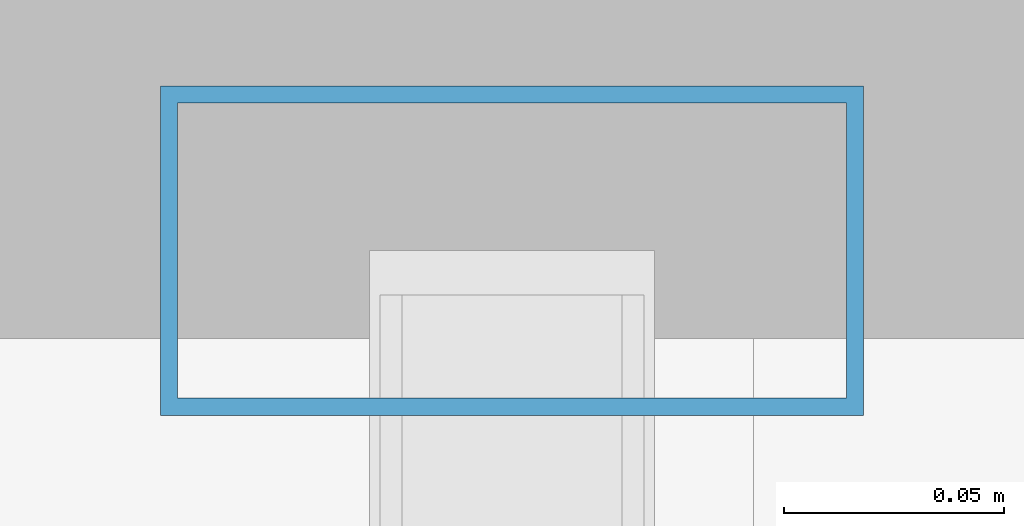
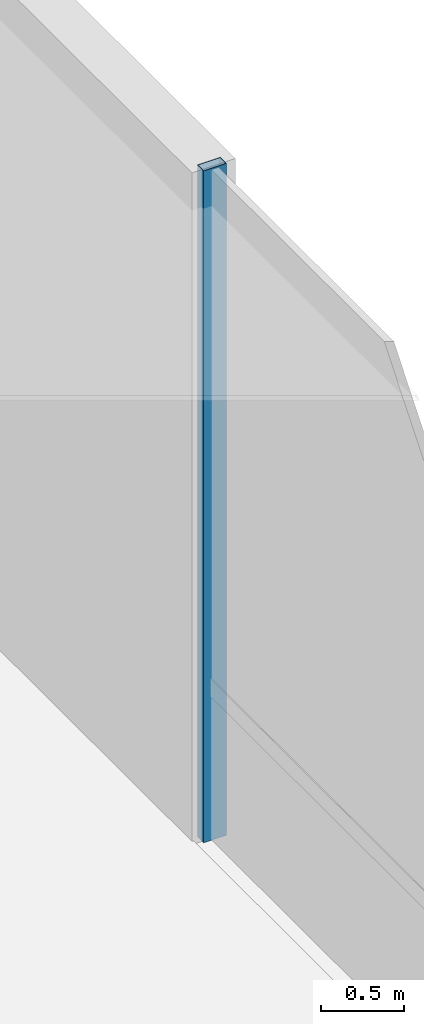
# One storey, part 24 of 39: 1 member, 1 element without a shape of its own.
"""IFC4 building model written with IfcOpenShell, lengths in metres."""

from ifc_helpers import new_model, si_unit, direction, frame, origin, origin_2d, place, context, subcontext, project, spatial, hollow_rectangle, extrude, source, transform, mapped, material, material_profile, profile_set, type_object, element, aggregate, save


model = new_model("IFC4")

# Units and contexts
model_context = context("Model", 3, precision=1e-05, world=origin(), true_north=direction((0.0, 1.0)))
body_context = subcontext(model_context, "Body", "Model", "MODEL_VIEW")
ifc_project = project(units=[si_unit("LENGTHUNIT", "METRE"), si_unit("AREAUNIT", "SQUARE_METRE"), si_unit("VOLUMEUNIT", "CUBIC_METRE"), si_unit("PLANEANGLEUNIT", "RADIAN"), si_unit("MASSUNIT", "GRAM", prefix="KILO")], contexts=[model_context])

# Site, building, storey
site_placement = place(None, origin())
site = spatial("IfcSite", under=ifc_project, at=site_placement, CompositionType="ELEMENT")
building_placement = place(site_placement, origin())
building = spatial("IfcBuilding", under=site, at=building_placement, Name="Valdorenza Pilgrim Sanctuary Tower", CompositionType="ELEMENT")
storey_placement = place(building_placement, frame((0.0, 0.0, 10.39990234375)))
storey = spatial("IfcBuildingStorey", under=building, at=storey_placement, Name="L02", CompositionType="ELEMENT", Elevation=10.39990234375)

# Curtain wall, member
ifc_material_1 = material(Name="Curtain-wall IGU glazing", Category="glass")
curtain_wall_type = type_object("IfcCurtainWallType", Name="CW-SYS-01", PredefinedType="NOTDEFINED", material=ifc_material_1)
curtain_wall_placement = place(storey_placement, origin())
curtain_wall = element("IfcCurtainWall", 1, at=curtain_wall_placement, inside=storey, type_object=curtain_wall_type, Name="L02 Curtain Wall CW-POD-L02-EE", PredefinedType="NOTDEFINED")
ifc_material_2 = material(Name="Anodised aluminium AW-6060", Category="aluminium")
ifc_material_profile = material_profile(ifc_material_2, hollow_rectangle(XDim=0.074951171875, YDim=0.159912109375, WallThickness=0.00390625, at=origin_2d()), Name="ALU-M 160x75x4")
ifc_profile_set = profile_set([ifc_material_profile], Name="Anodised aluminium AW-6060")
member_type = type_object("IfcMemberType", Name="CW-MUL-01", PredefinedType="MULLION", material=ifc_profile_set)
shared_shape = source(origin(), body_context, "Body", "SweptSolid", [
    extrude(hollow_rectangle(XDim=0.074951171875, YDim=0.159912109375, WallThickness=0.00390625, at=origin_2d()), origin(), (0.0, 0.0, 1.0), 4.920166015625),
])
member_placement = place(storey_placement, frame((33.85009765625, 10.0, 0.0), z_axis=(0.0, 0.0, 1.0), x_axis=(0.0, 1.0, 0.0)))
member = element("IfcMember", 2, at=member_placement, type_object=member_type, Name="CW-POD-L02-EE Mullion 4", PredefinedType="MULLION", context=body_context, shape_type="MappedRepresentation", body=[
    mapped(shared_shape, transform((0.0, 0.0, 0.0), x_axis=(1.0, 0.0, 0.0), y_axis=(0.0, 1.0, 0.0), z_axis=(0.0, 0.0, 1.0), scale=1.0)),
])
aggregate(curtain_wall, [member])

save(model, "model.ifc")
